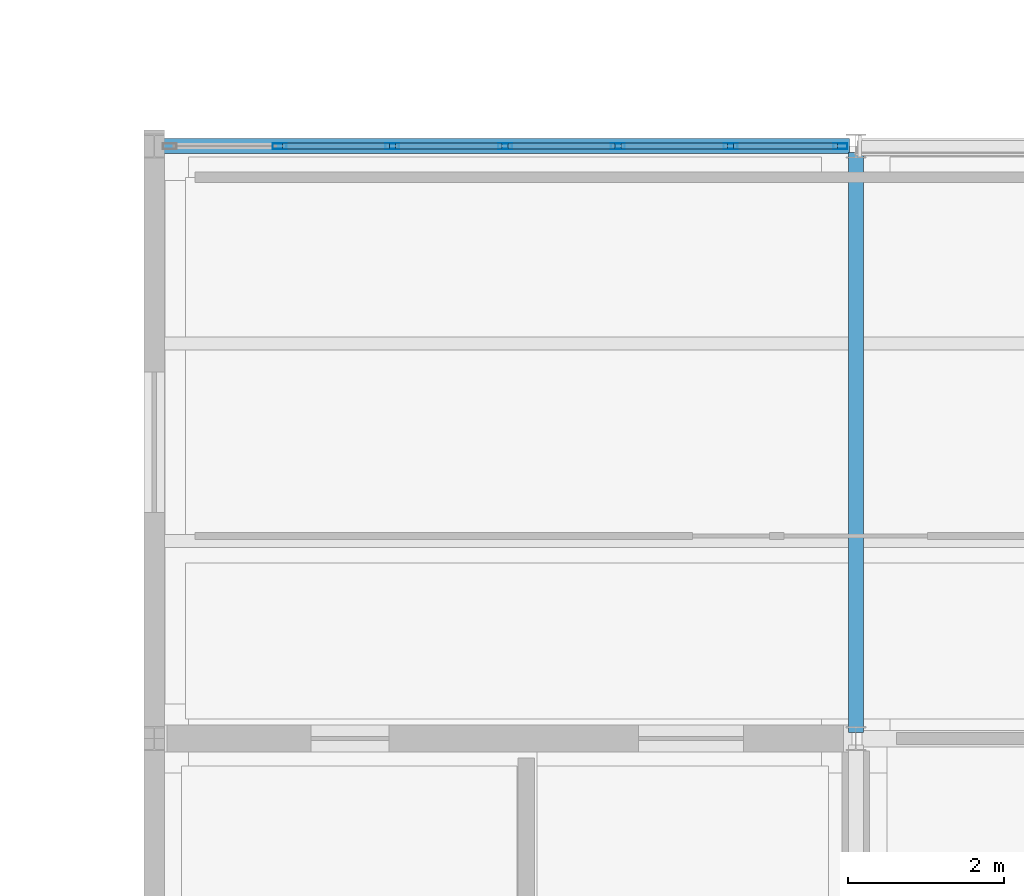
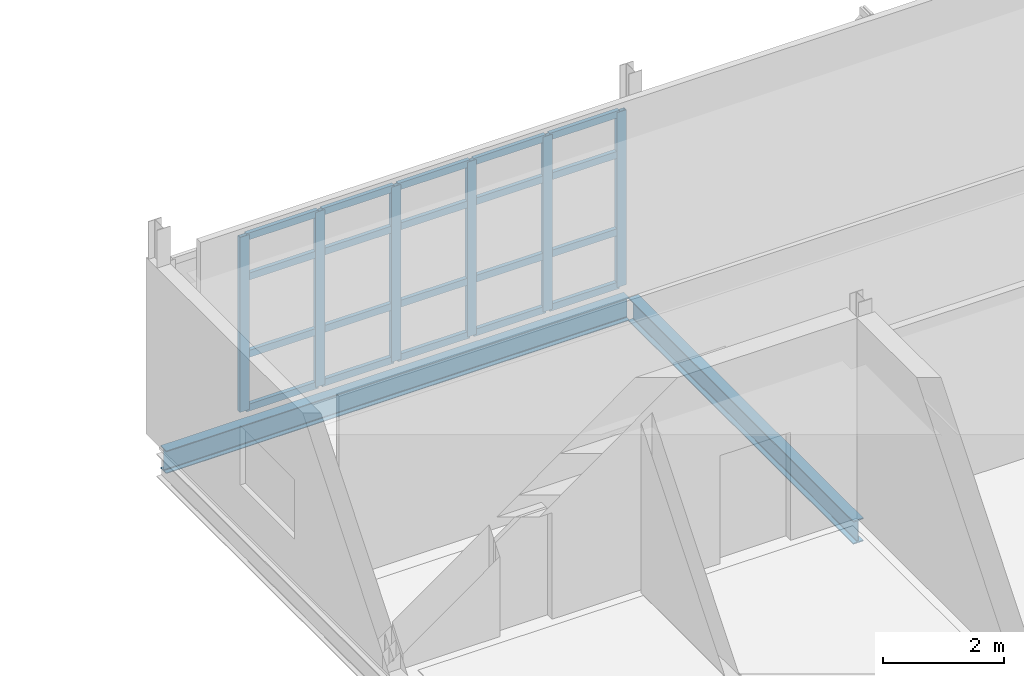
# One storey, part 6 of 24: 26 members, 2 beams, 1 element without a shape of its own.
"""IFC4 building model written with IfcOpenShell, lengths in metres."""

from ifc_helpers import new_model, si_unit, direction, frame, origin, origin_2d, place, context, subcontext, project, spatial, hollow_rectangle, i_section, extrude, material, material_profile, profile_set, type_object, element, aggregate, save


model = new_model("IFC4")

# Units and contexts
model_context = context("Model", 3, precision=1e-05, world=origin(), true_north=direction((0.0, 1.0)))
body_context = subcontext(model_context, "Body", "Model", "MODEL_VIEW")
ifc_project = project(units=[si_unit("LENGTHUNIT", "METRE"), si_unit("AREAUNIT", "SQUARE_METRE"), si_unit("VOLUMEUNIT", "CUBIC_METRE"), si_unit("PLANEANGLEUNIT", "RADIAN"), si_unit("MASSUNIT", "GRAM", prefix="KILO")], contexts=[model_context])

# Site, building, storey
site_placement = place(None, origin())
site = spatial("IfcSite", under=ifc_project, at=site_placement, CompositionType="ELEMENT")
building_placement = place(site_placement, origin())
building = spatial("IfcBuilding", under=site, at=building_placement, Name="Caisbarro Railhouse Central Library", CompositionType="ELEMENT")
storey_placement = place(building_placement, frame((0.0, 0.0, 22.320068359375)))
storey = spatial("IfcBuildingStorey", under=building, at=storey_placement, Name="L05", CompositionType="ELEMENT", Elevation=22.320068359375)

# Beams
ifc_material_1 = material(Name="Steel ASTM A572 Grade 50", Category="steel")
ifc_material_profile_1 = material_profile(ifc_material_1, i_section(OverallWidth=0.194091796875, OverallDepth=0.468994140625, WebThickness=0.0126953125, FlangeThickness=0.0205078125, FilletRadius=0.01806640625, at=origin_2d()), Name="W460X106.0")
ifc_profile_set_1 = profile_set([ifc_material_profile_1], Name="Steel ASTM A572 Grade 50")
beam_type_1 = type_object("IfcBeamType", Name="BM-G07", PredefinedType="BEAM", material=ifc_profile_set_1)
beam_1_placement = place(storey_placement, frame((72.0, 15.280029296875, -0.474609375), z_axis=(0.0, 1.0, 0.0), x_axis=(-1.0, 0.0, 0.0)))
element("IfcBeam", 1, at=beam_1_placement, inside=storey, type_object=beam_type_1, Name="G07 beam L05 #2195", PredefinedType="BEAM", context=body_context, shape_type="SweptSolid", body=[
    extrude(i_section(OverallWidth=0.194091796875, OverallDepth=0.468994140625, WebThickness=0.0126953125, FlangeThickness=0.0205078125, FilletRadius=0.01806640625, at=origin_2d()), origin(), (0.0, 0.0, 1.0), 7.43994140625),
])
ifc_material_profile_2 = material_profile(ifc_material_1, i_section(OverallWidth=0.18994140625, OverallDepth=0.45703125, WebThickness=0.009033203125, FlangeThickness=0.014404296875, FilletRadius=0.01806640625, at=origin_2d()), Name="W460X74.0")
ifc_profile_set_2 = profile_set([ifc_material_profile_2], Name="Steel ASTM A572 Grade 50")
beam_type_2 = type_object("IfcBeamType", Name="BM-SP01", PredefinedType="SPANDREL", material=ifc_profile_set_2)
beam_2_placement = place(storey_placement, frame((63.080078125, 22.800048828125, -0.468505859375), z_axis=(1.0, 0.0, 0.0), x_axis=(0.0, 1.0, 0.0)))
element("IfcBeam", 2, at=beam_2_placement, inside=storey, type_object=beam_type_2, Name="SP01 beam L05 #2186", PredefinedType="SPANDREL", context=body_context, shape_type="SweptSolid", body=[
    extrude(i_section(OverallWidth=0.18994140625, OverallDepth=0.45703125, WebThickness=0.009033203125, FlangeThickness=0.014404296875, FilletRadius=0.01806640625, at=origin_2d()), origin(), (0.0, 0.0, 1.0), 8.83984375),
])

# Curtain wall, members
ifc_material_2 = material(Name="Anodised architectural aluminium", Category="aluminium")
curtain_wall_type = type_object("IfcCurtainWallType", Name="CW-CW02", PredefinedType="NOTDEFINED", material=ifc_material_2)
curtain_wall_placement = place(storey_placement, origin())
curtain_wall = element("IfcCurtainWall", 3, at=curtain_wall_placement, inside=storey, type_object=curtain_wall_type, Name="CW02 curtain wall L05 #71", PredefinedType="NOTDEFINED")
ifc_material_profile_3 = material_profile(ifc_material_2, hollow_rectangle(XDim=0.074951171875, YDim=0.179931640625, WallThickness=0.00439453125, at=origin_2d()), Name="ALU-MUL-75X180")
ifc_profile_set_3 = profile_set([ifc_material_profile_3], Name="Anodised architectural aluminium")
member_type_1 = type_object("IfcMemberType", Name="CWM-M01", PredefinedType="MULLION", material=ifc_profile_set_3)
member_1_placement = place(storey_placement, frame((64.606689453125, 22.800048828125, 0.0), z_axis=(0.0, 0.0, 1.0), x_axis=(0.0, 1.0, 0.0)))
member_1 = element("IfcMember", 4, at=member_1_placement, type_object=member_type_1, Name="CW02 mullion 2", PredefinedType="MULLION", context=body_context, shape_type="SweptSolid", body=[
    extrude(hollow_rectangle(XDim=0.074951171875, YDim=0.179931640625, WallThickness=0.00439453125, at=origin_2d()), origin(), (0.0, 0.0, 1.0), 3.530029296875),
])
member_2_placement = place(storey_placement, frame((66.05322265625, 22.800048828125, 0.0), z_axis=(0.0, 0.0, 1.0), x_axis=(0.0, 1.0, 0.0)))
member_2 = element("IfcMember", 5, at=member_2_placement, type_object=member_type_1, Name="CW02 mullion 3", PredefinedType="MULLION", context=body_context, shape_type="SweptSolid", body=[
    extrude(hollow_rectangle(XDim=0.074951171875, YDim=0.179931640625, WallThickness=0.00439453125, at=origin_2d()), origin(), (0.0, 0.0, 1.0), 3.530029296875),
])
member_3_placement = place(storey_placement, frame((67.5, 22.800048828125, 0.0), z_axis=(0.0, 0.0, 1.0), x_axis=(0.0, 1.0, 0.0)))
member_3 = element("IfcMember", 6, at=member_3_placement, type_object=member_type_1, Name="CW02 mullion 4", PredefinedType="MULLION", context=body_context, shape_type="SweptSolid", body=[
    extrude(hollow_rectangle(XDim=0.074951171875, YDim=0.179931640625, WallThickness=0.00439453125, at=origin_2d()), origin(), (0.0, 0.0, 1.0), 3.530029296875),
])
member_4_placement = place(storey_placement, frame((68.94677734375, 22.800048828125, 0.0), z_axis=(0.0, 0.0, 1.0), x_axis=(0.0, 1.0, 0.0)))
member_4 = element("IfcMember", 7, at=member_4_placement, type_object=member_type_1, Name="CW02 mullion 5", PredefinedType="MULLION", context=body_context, shape_type="SweptSolid", body=[
    extrude(hollow_rectangle(XDim=0.074951171875, YDim=0.179931640625, WallThickness=0.00439453125, at=origin_2d()), origin(), (0.0, 0.0, 1.0), 3.530029296875),
])
member_5_placement = place(storey_placement, frame((70.393310546875, 22.800048828125, 0.0), z_axis=(0.0, 0.0, 1.0), x_axis=(0.0, 1.0, 0.0)))
member_5 = element("IfcMember", 8, at=member_5_placement, type_object=member_type_1, Name="CW02 mullion 6", PredefinedType="MULLION", context=body_context, shape_type="SweptSolid", body=[
    extrude(hollow_rectangle(XDim=0.074951171875, YDim=0.179931640625, WallThickness=0.00439453125, at=origin_2d()), origin(), (0.0, 0.0, 1.0), 3.530029296875),
])
member_6_placement = place(storey_placement, frame((71.802490234375, 22.800048828125, 0.0), z_axis=(0.0, 0.0, 1.0), x_axis=(0.0, 1.0, 0.0)))
member_6 = element("IfcMember", 9, at=member_6_placement, type_object=member_type_1, Name="CW02 mullion 7", PredefinedType="MULLION", context=body_context, shape_type="SweptSolid", body=[
    extrude(hollow_rectangle(XDim=0.074951171875, YDim=0.179931640625, WallThickness=0.00439453125, at=origin_2d()), origin(), (0.0, 0.0, 1.0), 3.530029296875),
])
ifc_material_profile_4 = material_profile(ifc_material_2, hollow_rectangle(XDim=0.074951171875, YDim=0.139892578125, WallThickness=0.00390625, at=origin_2d()), Name="ALU-TRN-75X140")
ifc_profile_set_4 = profile_set([ifc_material_profile_4], Name="Anodised architectural aluminium")
member_type_2 = type_object("IfcMemberType", Name="CWT-T01", PredefinedType="USERDEFINED", material=ifc_profile_set_4)
member_7_placement = place(storey_placement, frame((64.644287109375, 22.800048828125, 0.037353515625), z_axis=(1.0, 0.0, 0.0), x_axis=(0.0, 1.0, 0.0)))
member_7 = element("IfcMember", 10, at=member_7_placement, type_object=member_type_2, Name="CW02 transom 2.1", ObjectType="TRANSOM", PredefinedType="USERDEFINED", context=body_context, shape_type="SweptSolid", body=[
    extrude(hollow_rectangle(XDim=0.074951171875, YDim=0.139892578125, WallThickness=0.00390625, at=origin_2d()), origin(), (0.0, 0.0, 1.0), 1.37158203125),
])
member_8_placement = place(storey_placement, frame((64.644287109375, 22.800048828125, 1.119873046875), z_axis=(1.0, 0.0, 0.0), x_axis=(0.0, 1.0, 0.0)))
member_8 = element("IfcMember", 11, at=member_8_placement, type_object=member_type_2, Name="CW02 transom 2.2", ObjectType="TRANSOM", PredefinedType="USERDEFINED", context=body_context, shape_type="SweptSolid", body=[
    extrude(hollow_rectangle(XDim=0.074951171875, YDim=0.139892578125, WallThickness=0.00390625, at=origin_2d()), origin(), (0.0, 0.0, 1.0), 1.37158203125),
])
member_9_placement = place(storey_placement, frame((64.644287109375, 22.800048828125, 2.679931640625), z_axis=(1.0, 0.0, 0.0), x_axis=(0.0, 1.0, 0.0)))
member_9 = element("IfcMember", 12, at=member_9_placement, type_object=member_type_2, Name="CW02 transom 2.3", ObjectType="TRANSOM", PredefinedType="USERDEFINED", context=body_context, shape_type="SweptSolid", body=[
    extrude(hollow_rectangle(XDim=0.074951171875, YDim=0.139892578125, WallThickness=0.00390625, at=origin_2d()), origin(), (0.0, 0.0, 1.0), 1.37158203125),
])
member_10_placement = place(storey_placement, frame((64.644287109375, 22.800048828125, 3.492431640625), z_axis=(1.0, 0.0, 0.0), x_axis=(0.0, 1.0, 0.0)))
member_10 = element("IfcMember", 13, at=member_10_placement, type_object=member_type_2, Name="CW02 transom 2.4", ObjectType="TRANSOM", PredefinedType="USERDEFINED", context=body_context, shape_type="SweptSolid", body=[
    extrude(hollow_rectangle(XDim=0.074951171875, YDim=0.139892578125, WallThickness=0.00390625, at=origin_2d()), origin(), (0.0, 0.0, 1.0), 1.37158203125),
])
member_11_placement = place(storey_placement, frame((66.0908203125, 22.800048828125, 0.037353515625), z_axis=(1.0, 0.0, 0.0), x_axis=(0.0, 1.0, 0.0)))
member_11 = element("IfcMember", 14, at=member_11_placement, type_object=member_type_2, Name="CW02 transom 3.1", ObjectType="TRANSOM", PredefinedType="USERDEFINED", context=body_context, shape_type="SweptSolid", body=[
    extrude(hollow_rectangle(XDim=0.074951171875, YDim=0.139892578125, WallThickness=0.00390625, at=origin_2d()), origin(), (0.0, 0.0, 1.0), 1.37158203125),
])
member_12_placement = place(storey_placement, frame((66.0908203125, 22.800048828125, 1.119873046875), z_axis=(1.0, 0.0, 0.0), x_axis=(0.0, 1.0, 0.0)))
member_12 = element("IfcMember", 15, at=member_12_placement, type_object=member_type_2, Name="CW02 transom 3.2", ObjectType="TRANSOM", PredefinedType="USERDEFINED", context=body_context, shape_type="SweptSolid", body=[
    extrude(hollow_rectangle(XDim=0.074951171875, YDim=0.139892578125, WallThickness=0.00390625, at=origin_2d()), origin(), (0.0, 0.0, 1.0), 1.37158203125),
])
member_13_placement = place(storey_placement, frame((66.0908203125, 22.800048828125, 2.679931640625), z_axis=(1.0, 0.0, 0.0), x_axis=(0.0, 1.0, 0.0)))
member_13 = element("IfcMember", 16, at=member_13_placement, type_object=member_type_2, Name="CW02 transom 3.3", ObjectType="TRANSOM", PredefinedType="USERDEFINED", context=body_context, shape_type="SweptSolid", body=[
    extrude(hollow_rectangle(XDim=0.074951171875, YDim=0.139892578125, WallThickness=0.00390625, at=origin_2d()), origin(), (0.0, 0.0, 1.0), 1.37158203125),
])
member_14_placement = place(storey_placement, frame((66.0908203125, 22.800048828125, 3.492431640625), z_axis=(1.0, 0.0, 0.0), x_axis=(0.0, 1.0, 0.0)))
member_14 = element("IfcMember", 17, at=member_14_placement, type_object=member_type_2, Name="CW02 transom 3.4", ObjectType="TRANSOM", PredefinedType="USERDEFINED", context=body_context, shape_type="SweptSolid", body=[
    extrude(hollow_rectangle(XDim=0.074951171875, YDim=0.139892578125, WallThickness=0.00390625, at=origin_2d()), origin(), (0.0, 0.0, 1.0), 1.37158203125),
])
member_15_placement = place(storey_placement, frame((67.53759765625, 22.800048828125, 0.037353515625), z_axis=(1.0, 0.0, 0.0), x_axis=(0.0, 1.0, 0.0)))
member_15 = element("IfcMember", 18, at=member_15_placement, type_object=member_type_2, Name="CW02 transom 4.1", ObjectType="TRANSOM", PredefinedType="USERDEFINED", context=body_context, shape_type="SweptSolid", body=[
    extrude(hollow_rectangle(XDim=0.074951171875, YDim=0.139892578125, WallThickness=0.00390625, at=origin_2d()), origin(), (0.0, 0.0, 1.0), 1.37158203125),
])
member_16_placement = place(storey_placement, frame((67.53759765625, 22.800048828125, 1.119873046875), z_axis=(1.0, 0.0, 0.0), x_axis=(0.0, 1.0, 0.0)))
member_16 = element("IfcMember", 19, at=member_16_placement, type_object=member_type_2, Name="CW02 transom 4.2", ObjectType="TRANSOM", PredefinedType="USERDEFINED", context=body_context, shape_type="SweptSolid", body=[
    extrude(hollow_rectangle(XDim=0.074951171875, YDim=0.139892578125, WallThickness=0.00390625, at=origin_2d()), origin(), (0.0, 0.0, 1.0), 1.37158203125),
])
member_17_placement = place(storey_placement, frame((67.53759765625, 22.800048828125, 2.679931640625), z_axis=(1.0, 0.0, 0.0), x_axis=(0.0, 1.0, 0.0)))
member_17 = element("IfcMember", 20, at=member_17_placement, type_object=member_type_2, Name="CW02 transom 4.3", ObjectType="TRANSOM", PredefinedType="USERDEFINED", context=body_context, shape_type="SweptSolid", body=[
    extrude(hollow_rectangle(XDim=0.074951171875, YDim=0.139892578125, WallThickness=0.00390625, at=origin_2d()), origin(), (0.0, 0.0, 1.0), 1.37158203125),
])
member_18_placement = place(storey_placement, frame((67.53759765625, 22.800048828125, 3.492431640625), z_axis=(1.0, 0.0, 0.0), x_axis=(0.0, 1.0, 0.0)))
member_18 = element("IfcMember", 21, at=member_18_placement, type_object=member_type_2, Name="CW02 transom 4.4", ObjectType="TRANSOM", PredefinedType="USERDEFINED", context=body_context, shape_type="SweptSolid", body=[
    extrude(hollow_rectangle(XDim=0.074951171875, YDim=0.139892578125, WallThickness=0.00390625, at=origin_2d()), origin(), (0.0, 0.0, 1.0), 1.37158203125),
])
member_19_placement = place(storey_placement, frame((68.984130859375, 22.800048828125, 0.037353515625), z_axis=(1.0, 0.0, 0.0), x_axis=(0.0, 1.0, 0.0)))
member_19 = element("IfcMember", 22, at=member_19_placement, type_object=member_type_2, Name="CW02 transom 5.1", ObjectType="TRANSOM", PredefinedType="USERDEFINED", context=body_context, shape_type="SweptSolid", body=[
    extrude(hollow_rectangle(XDim=0.074951171875, YDim=0.139892578125, WallThickness=0.00390625, at=origin_2d()), origin(), (0.0, 0.0, 1.0), 1.37158203125),
])
member_20_placement = place(storey_placement, frame((68.984130859375, 22.800048828125, 1.119873046875), z_axis=(1.0, 0.0, 0.0), x_axis=(0.0, 1.0, 0.0)))
member_20 = element("IfcMember", 23, at=member_20_placement, type_object=member_type_2, Name="CW02 transom 5.2", ObjectType="TRANSOM", PredefinedType="USERDEFINED", context=body_context, shape_type="SweptSolid", body=[
    extrude(hollow_rectangle(XDim=0.074951171875, YDim=0.139892578125, WallThickness=0.00390625, at=origin_2d()), origin(), (0.0, 0.0, 1.0), 1.37158203125),
])
member_21_placement = place(storey_placement, frame((68.984130859375, 22.800048828125, 2.679931640625), z_axis=(1.0, 0.0, 0.0), x_axis=(0.0, 1.0, 0.0)))
member_21 = element("IfcMember", 24, at=member_21_placement, type_object=member_type_2, Name="CW02 transom 5.3", ObjectType="TRANSOM", PredefinedType="USERDEFINED", context=body_context, shape_type="SweptSolid", body=[
    extrude(hollow_rectangle(XDim=0.074951171875, YDim=0.139892578125, WallThickness=0.00390625, at=origin_2d()), origin(), (0.0, 0.0, 1.0), 1.37158203125),
])
member_22_placement = place(storey_placement, frame((68.984130859375, 22.800048828125, 3.492431640625), z_axis=(1.0, 0.0, 0.0), x_axis=(0.0, 1.0, 0.0)))
member_22 = element("IfcMember", 25, at=member_22_placement, type_object=member_type_2, Name="CW02 transom 5.4", ObjectType="TRANSOM", PredefinedType="USERDEFINED", context=body_context, shape_type="SweptSolid", body=[
    extrude(hollow_rectangle(XDim=0.074951171875, YDim=0.139892578125, WallThickness=0.00390625, at=origin_2d()), origin(), (0.0, 0.0, 1.0), 1.37158203125),
])
member_23_placement = place(storey_placement, frame((70.430908203125, 22.800048828125, 0.037353515625), z_axis=(1.0, 0.0, 0.0), x_axis=(0.0, 1.0, 0.0)))
member_23 = element("IfcMember", 26, at=member_23_placement, type_object=member_type_2, Name="CW02 transom 6.1", ObjectType="TRANSOM", PredefinedType="USERDEFINED", context=body_context, shape_type="SweptSolid", body=[
    extrude(hollow_rectangle(XDim=0.074951171875, YDim=0.139892578125, WallThickness=0.00390625, at=origin_2d()), origin(), (0.0, 0.0, 1.0), 1.333984375),
])
member_24_placement = place(storey_placement, frame((70.430908203125, 22.800048828125, 1.119873046875), z_axis=(1.0, 0.0, 0.0), x_axis=(0.0, 1.0, 0.0)))
member_24 = element("IfcMember", 27, at=member_24_placement, type_object=member_type_2, Name="CW02 transom 6.2", ObjectType="TRANSOM", PredefinedType="USERDEFINED", context=body_context, shape_type="SweptSolid", body=[
    extrude(hollow_rectangle(XDim=0.074951171875, YDim=0.139892578125, WallThickness=0.00390625, at=origin_2d()), origin(), (0.0, 0.0, 1.0), 1.333984375),
])
member_25_placement = place(storey_placement, frame((70.430908203125, 22.800048828125, 2.679931640625), z_axis=(1.0, 0.0, 0.0), x_axis=(0.0, 1.0, 0.0)))
member_25 = element("IfcMember", 28, at=member_25_placement, type_object=member_type_2, Name="CW02 transom 6.3", ObjectType="TRANSOM", PredefinedType="USERDEFINED", context=body_context, shape_type="SweptSolid", body=[
    extrude(hollow_rectangle(XDim=0.074951171875, YDim=0.139892578125, WallThickness=0.00390625, at=origin_2d()), origin(), (0.0, 0.0, 1.0), 1.333984375),
])
member_26_placement = place(storey_placement, frame((70.430908203125, 22.800048828125, 3.492431640625), z_axis=(1.0, 0.0, 0.0), x_axis=(0.0, 1.0, 0.0)))
member_26 = element("IfcMember", 29, at=member_26_placement, type_object=member_type_2, Name="CW02 transom 6.4", ObjectType="TRANSOM", PredefinedType="USERDEFINED", context=body_context, shape_type="SweptSolid", body=[
    extrude(hollow_rectangle(XDim=0.074951171875, YDim=0.139892578125, WallThickness=0.00390625, at=origin_2d()), origin(), (0.0, 0.0, 1.0), 1.333984375),
])
aggregate(curtain_wall, [member_1, member_2, member_3, member_4, member_5, member_6, member_7, member_8, member_9, member_10, member_11, member_12, member_13, member_14, member_15, member_16, member_17, member_18, member_19, member_20, member_21, member_22, member_23, member_24, member_25, member_26])

save(model, "model.ifc")
